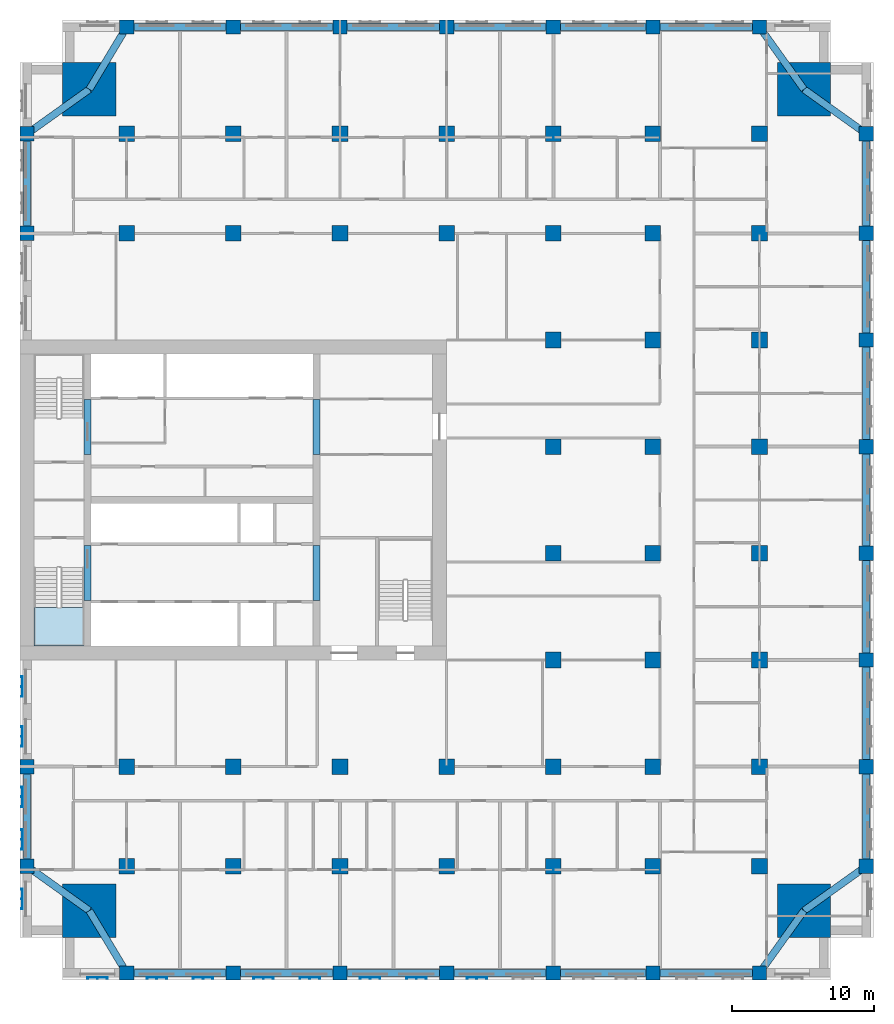
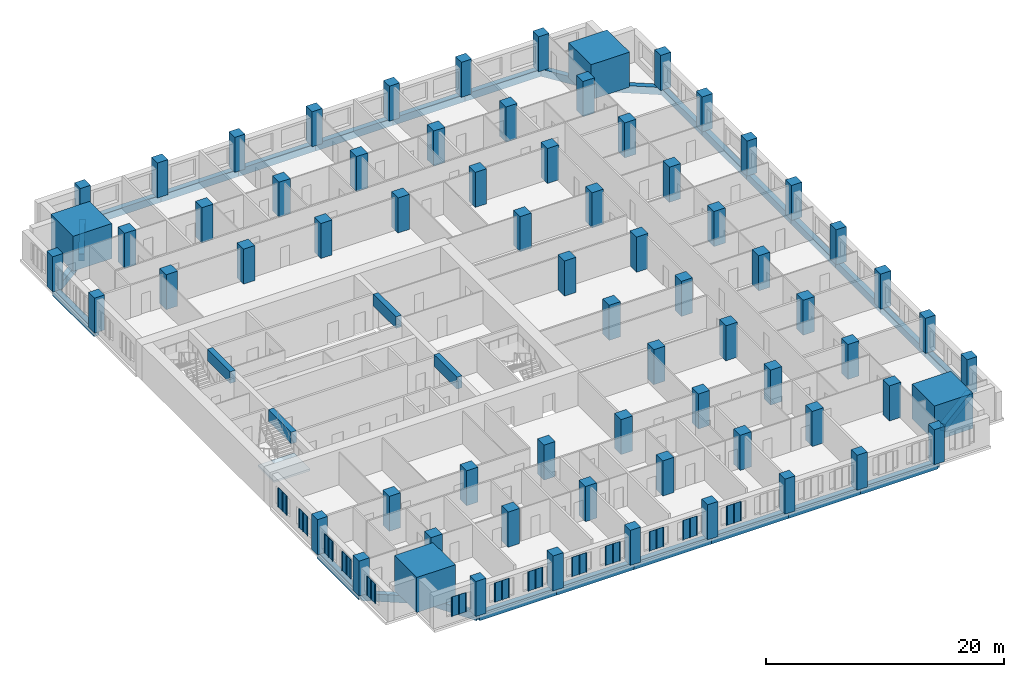
# One storey, part 1 of 14: 70 columns, 33 beams, 13 plates, 1 slab, 1 element without a shape of its own.
"""IFC4 building model written with IfcOpenShell, lengths in metres."""

from ifc_helpers import new_model, si_unit, direction, frame, origin, origin_2d, place, context, subcontext, project, spatial, polyline, rectangle, outline, extrude, material, layer, layer_set, material_profile, profile_set, type_object, element, aggregate, save


model = new_model("IFC4")

# Units and contexts
model_context = context("Model", 3, precision=1e-05, world=origin(), true_north=direction((0.0, 1.0)))
body_context = subcontext(model_context, "Body", "Model", "MODEL_VIEW")
ifc_project = project(units=[si_unit("LENGTHUNIT", "METRE"), si_unit("AREAUNIT", "SQUARE_METRE"), si_unit("VOLUMEUNIT", "CUBIC_METRE"), si_unit("PLANEANGLEUNIT", "RADIAN"), si_unit("MASSUNIT", "GRAM", prefix="KILO")], contexts=[model_context])

# Site, building, storey
site_placement = place(None, origin())
site = spatial("IfcSite", under=ifc_project, at=site_placement, CompositionType="ELEMENT")
building_placement = place(site_placement, origin())
building = spatial("IfcBuilding", under=site, at=building_placement, Name="Tamorin Gate", CompositionType="ELEMENT")
storey_placement = place(building_placement, frame((0.0, 0.0, 104.300048828125)))
storey = spatial("IfcBuildingStorey", under=building, at=storey_placement, Name="L25", CompositionType="ELEMENT", Elevation=104.300048828125)

# Columns
ifc_material_1 = material(Name="Concrete C80/95", Category="concrete")
ifc_material_profile_1 = material_profile(ifc_material_1, rectangle(XDim=1.0, YDim=1.0, at=origin_2d()), Name="RC 1000x1000")
ifc_profile_set_1 = profile_set([ifc_material_profile_1], Name="Concrete C80/95")
column_type_1 = type_object("IfcColumnType", Name="RC column 1000x1000 C80/95", PredefinedType="COLUMN", material=ifc_profile_set_1)
for number, where, z_axis, x_axis, name in (
    (1, (30.5, 45.5, 0.0), (0.0, 0.0, 1.0), (1.0, 0.0, 0.0), "Ring column L25"),
    (2, (30.5, 52.5, 0.0), (0.0, 0.0, 1.0), (1.0, 0.0, 0.0), "Ring column L25"),
    (3, (30.5, 90.0, 0.0), (0.0, 0.0, 1.0), (1.0, 0.0, 0.0), "Ring column L25"),
    (4, (30.5, 97.0, 0.0), (0.0, 0.0, 1.0), (1.0, 0.0, 0.0), "Ring column L25"),
    (5, (37.5, 38.0, 0.0), (0.0, 0.0, 1.0), (1.0, 0.0, 0.0), "Ring column L25"),
    (6, (37.5, 104.5, 0.0), (0.0, 0.0, 1.0), (1.0, 0.0, 0.0), "Ring column L25"),
    (7, (45.0, 38.0, 0.0), (0.0, 0.0, 1.0), (1.0, 0.0, 0.0), "Ring column L25"),
    (8, (45.0, 104.5, 0.0), (0.0, 0.0, 1.0), (1.0, 0.0, 0.0), "Ring column L25"),
    (9, (52.5, 38.0, 0.0), (0.0, 0.0, 1.0), (1.0, 0.0, 0.0), "Ring column L25"),
    (10, (52.5, 104.5, 0.0), (0.0, 0.0, 1.0), (1.0, 0.0, 0.0), "Ring column L25"),
    (11, (60.0, 38.0, 0.0), (0.0, 0.0, 1.0), (1.0, 0.0, 0.0), "Ring column L25"),
    (12, (60.0, 104.5, 0.0), (0.0, 0.0, 1.0), (1.0, 0.0, 0.0), "Ring column L25"),
    (13, (67.5, 38.0, 0.0), (0.0, 0.0, 1.0), (1.0, 0.0, 0.0), "Ring column L25"),
    (14, (67.5, 104.5, 0.0), (0.0, 0.0, 1.0), (1.0, 0.0, 0.0), "Ring column L25"),
    (15, (74.5, 38.0, 0.0), (0.0, 0.0, 1.0), (1.0, 0.0, 0.0), "Ring column L25"),
    (16, (74.5, 104.5, 0.0), (0.0, 0.0, 1.0), (1.0, 0.0, 0.0), "Ring column L25"),
    (17, (82.0, 38.0, 0.0), (0.0, 0.0, 1.0), (1.0, 0.0, 0.0), "Ring column L25"),
    (18, (82.0, 104.5, 0.0), (0.0, 0.0, 1.0), (1.0, 0.0, 0.0), "Ring column L25"),
    (19, (89.5, 45.5, 0.0), (0.0, 0.0, 1.0), (1.0, 0.0, 0.0), "Ring column L25"),
    (20, (89.5, 52.5, 0.0), (0.0, 0.0, 1.0), (1.0, 0.0, 0.0), "Ring column L25"),
    (21, (89.5, 60.0, 0.0), (0.0, 0.0, 1.0), (1.0, 0.0, 0.0), "Ring column L25"),
    (22, (89.5, 67.5, 0.0), (0.0, 0.0, 1.0), (1.0, 0.0, 0.0), "Ring column L25"),
    (23, (89.5, 75.0, 0.0), (0.0, 0.0, 1.0), (1.0, 0.0, 0.0), "Ring column L25"),
    (24, (89.5, 82.5, 0.0), (0.0, 0.0, 1.0), (1.0, 0.0, 0.0), "Ring column L25"),
    (25, (89.5, 90.0, 0.0), (0.0, 0.0, 1.0), (1.0, 0.0, 0.0), "Ring column L25"),
    (26, (89.5, 97.0, 0.0), (0.0, 0.0, 1.0), (1.0, 0.0, 0.0), "Ring column L25"),
):
    element("IfcColumn", number, at=place(storey_placement, frame(where, z_axis=z_axis, x_axis=x_axis)), inside=storey, type_object=column_type_1, Name=name, PredefinedType="COLUMN", context=body_context, shape_type="SweptSolid", body=[
        extrude(rectangle(XDim=1.0, YDim=1.0, at=origin_2d()), origin(), (0.0, 0.0, 1.0), 3.599853515625),
    ])
ifc_material_profile_2 = material_profile(ifc_material_1, rectangle(XDim=1.10009765625, YDim=1.10009765625, at=origin_2d()), Name="RC 1100x1100")
ifc_profile_set_2 = profile_set([ifc_material_profile_2], Name="Concrete C80/95")
column_type_2 = type_object("IfcColumnType", Name="RC column 1100x1100 C80/95", PredefinedType="COLUMN", material=ifc_profile_set_2)
for number, where, z_axis, x_axis, name in (
    (27, (37.5, 45.5, 0.0), (0.0, 0.0, 1.0), (1.0, 0.0, 0.0), "Interior column L25"),
    (28, (37.5, 52.5, 0.0), (0.0, 0.0, 1.0), (1.0, 0.0, 0.0), "Interior column L25"),
    (29, (37.5, 90.0, 0.0), (0.0, 0.0, 1.0), (1.0, 0.0, 0.0), "Interior column L25"),
    (30, (37.5, 97.0, 0.0), (0.0, 0.0, 1.0), (1.0, 0.0, 0.0), "Interior column L25"),
    (31, (45.0, 45.5, 0.0), (0.0, 0.0, 1.0), (1.0, 0.0, 0.0), "Interior column L25"),
    (32, (45.0, 52.5, 0.0), (0.0, 0.0, 1.0), (1.0, 0.0, 0.0), "Interior column L25"),
    (33, (45.0, 90.0, 0.0), (0.0, 0.0, 1.0), (1.0, 0.0, 0.0), "Interior column L25"),
    (34, (45.0, 97.0, 0.0), (0.0, 0.0, 1.0), (1.0, 0.0, 0.0), "Interior column L25"),
    (35, (52.5, 45.5, 0.0), (0.0, 0.0, 1.0), (1.0, 0.0, 0.0), "Interior column L25"),
    (36, (52.5, 52.5, 0.0), (0.0, 0.0, 1.0), (1.0, 0.0, 0.0), "Interior column L25"),
    (37, (52.5, 90.0, 0.0), (0.0, 0.0, 1.0), (1.0, 0.0, 0.0), "Interior column L25"),
    (38, (52.5, 97.0, 0.0), (0.0, 0.0, 1.0), (1.0, 0.0, 0.0), "Interior column L25"),
    (39, (60.0, 45.5, 0.0), (0.0, 0.0, 1.0), (1.0, 0.0, 0.0), "Interior column L25"),
    (40, (60.0, 52.5, 0.0), (0.0, 0.0, 1.0), (1.0, 0.0, 0.0), "Interior column L25"),
    (41, (60.0, 90.0, 0.0), (0.0, 0.0, 1.0), (1.0, 0.0, 0.0), "Interior column L25"),
    (42, (60.0, 97.0, 0.0), (0.0, 0.0, 1.0), (1.0, 0.0, 0.0), "Interior column L25"),
    (43, (67.5, 45.5, 0.0), (0.0, 0.0, 1.0), (1.0, 0.0, 0.0), "Interior column L25"),
    (44, (67.5, 52.5, 0.0), (0.0, 0.0, 1.0), (1.0, 0.0, 0.0), "Interior column L25"),
    (45, (67.5, 60.0, 0.0), (0.0, 0.0, 1.0), (1.0, 0.0, 0.0), "Interior column L25"),
    (46, (67.5, 67.5, 0.0), (0.0, 0.0, 1.0), (1.0, 0.0, 0.0), "Interior column L25"),
    (47, (67.5, 75.0, 0.0), (0.0, 0.0, 1.0), (1.0, 0.0, 0.0), "Interior column L25"),
    (48, (67.5, 82.5, 0.0), (0.0, 0.0, 1.0), (1.0, 0.0, 0.0), "Interior column L25"),
    (49, (67.5, 90.0, 0.0), (0.0, 0.0, 1.0), (1.0, 0.0, 0.0), "Interior column L25"),
    (50, (67.5, 97.0, 0.0), (0.0, 0.0, 1.0), (1.0, 0.0, 0.0), "Interior column L25"),
    (51, (74.5, 45.5, 0.0), (0.0, 0.0, 1.0), (1.0, 0.0, 0.0), "Interior column L25"),
    (52, (74.5, 52.5, 0.0), (0.0, 0.0, 1.0), (1.0, 0.0, 0.0), "Interior column L25"),
    (53, (74.5, 60.0, 0.0), (0.0, 0.0, 1.0), (1.0, 0.0, 0.0), "Interior column L25"),
    (54, (74.5, 67.5, 0.0), (0.0, 0.0, 1.0), (1.0, 0.0, 0.0), "Interior column L25"),
    (55, (74.5, 75.0, 0.0), (0.0, 0.0, 1.0), (1.0, 0.0, 0.0), "Interior column L25"),
    (56, (74.5, 82.5, 0.0), (0.0, 0.0, 1.0), (1.0, 0.0, 0.0), "Interior column L25"),
    (57, (74.5, 90.0, 0.0), (0.0, 0.0, 1.0), (1.0, 0.0, 0.0), "Interior column L25"),
    (58, (74.5, 97.0, 0.0), (0.0, 0.0, 1.0), (1.0, 0.0, 0.0), "Interior column L25"),
    (59, (82.0, 45.5, 0.0), (0.0, 0.0, 1.0), (1.0, 0.0, 0.0), "Interior column L25"),
    (60, (82.0, 52.5, 0.0), (0.0, 0.0, 1.0), (1.0, 0.0, 0.0), "Interior column L25"),
    (61, (82.0, 60.0, 0.0), (0.0, 0.0, 1.0), (1.0, 0.0, 0.0), "Interior column L25"),
    (62, (82.0, 67.5, 0.0), (0.0, 0.0, 1.0), (1.0, 0.0, 0.0), "Interior column L25"),
    (63, (82.0, 75.0, 0.0), (0.0, 0.0, 1.0), (1.0, 0.0, 0.0), "Interior column L25"),
    (64, (82.0, 82.5, 0.0), (0.0, 0.0, 1.0), (1.0, 0.0, 0.0), "Interior column L25"),
    (65, (82.0, 90.0, 0.0), (0.0, 0.0, 1.0), (1.0, 0.0, 0.0), "Interior column L25"),
    (66, (82.0, 97.0, 0.0), (0.0, 0.0, 1.0), (1.0, 0.0, 0.0), "Interior column L25"),
):
    element("IfcColumn", number, at=place(storey_placement, frame(where, z_axis=z_axis, x_axis=x_axis)), inside=storey, type_object=column_type_2, Name=name, PredefinedType="COLUMN", context=body_context, shape_type="SweptSolid", body=[
        extrude(rectangle(XDim=1.10009765625, YDim=1.10009765625, at=origin_2d()), origin(), (0.0, 0.0, 1.0), 3.599853515625),
    ])
ifc_material_profile_3 = material_profile(ifc_material_1, rectangle(XDim=3.75, YDim=3.75, at=origin_2d()), Name="RC 3750x3750")
ifc_profile_set_3 = profile_set([ifc_material_profile_3], Name="Concrete C80/95")
column_type_3 = type_object("IfcColumnType", Name="RC column 3750x3750 C80/95", PredefinedType="COLUMN", material=ifc_profile_set_3)
for number, where, z_axis, x_axis, name in (
    (67, (34.875, 42.375, 0.0), (0.0, 0.0, 1.0), (1.0, 0.0, 0.0), "Mega column SW L25"),
    (68, (85.125, 42.375, 0.0), (0.0, 0.0, 1.0), (1.0, 0.0, 0.0), "Mega column SE L25"),
    (69, (34.875, 100.125, 0.0), (0.0, 0.0, 1.0), (1.0, 0.0, 0.0), "Mega column NW L25"),
    (70, (85.125, 100.125, 0.0), (0.0, 0.0, 1.0), (1.0, 0.0, 0.0), "Mega column NE L25"),
):
    element("IfcColumn", number, at=place(storey_placement, frame(where, z_axis=z_axis, x_axis=x_axis)), inside=storey, type_object=column_type_3, Name=name, PredefinedType="COLUMN", context=body_context, shape_type="SweptSolid", body=[
        extrude(rectangle(XDim=3.75, YDim=3.75, at=origin_2d()), origin(), (0.0, 0.0, 1.0), 3.599853515625),
    ])

# Beams
ifc_material_profile_4 = material_profile(ifc_material_1, rectangle(XDim=0.5, YDim=1.199951171875, at=origin_2d()), Name="RC 500x1200")
ifc_profile_set_4 = profile_set([ifc_material_profile_4], Name="Concrete C80/95")
beam_type_1 = type_object("IfcBeamType", Name="RC coupling beam 500x1200 C80/95", PredefinedType="BEAM", material=ifc_profile_set_4)
for number, where, z_axis, x_axis, name in (
    (71, (34.75, 64.199951171875, 3.0), (0.0, 1.0, 0.0), (-1.0, 0.0, 0.0), "Coupling beam L25"),
    (72, (34.75, 74.449951171875, 3.0), (0.0, 1.0, 0.0), (-1.0, 0.0, 0.0), "Coupling beam L25"),
    (73, (50.85009765625, 64.199951171875, 3.0), (0.0, 1.0, 0.0), (-1.0, 0.0, 0.0), "Coupling beam L25"),
    (74, (50.85009765625, 74.449951171875, 3.0), (0.0, 1.0, 0.0), (-1.0, 0.0, 0.0), "Coupling beam L25"),
):
    element("IfcBeam", number, at=place(storey_placement, frame(where, z_axis=z_axis, x_axis=x_axis)), inside=storey, type_object=beam_type_1, Name=name, PredefinedType="BEAM", context=body_context, shape_type="SweptSolid", body=[
        extrude(rectangle(XDim=0.5, YDim=1.199951171875, at=origin_2d()), origin(), (0.0, 0.0, 1.0), 3.85009765625),
    ])
ifc_material_2 = material(Name="Concrete C50/60", Category="concrete")
ifc_material_profile_5 = material_profile(ifc_material_2, rectangle(XDim=0.5, YDim=0.75, at=origin_2d()), Name="RC 500x750")
ifc_profile_set_5 = profile_set([ifc_material_profile_5], Name="Concrete C50/60")
beam_type_2 = type_object("IfcBeamType", Name="RC spandrel 500x750 C50/60", PredefinedType="BEAM", material=ifc_profile_set_5)
for number, where, z_axis, x_axis, name in (
    (75, (37.5, 38.0, -0.375), (1.0, 0.0, 0.0), (0.0, 1.0, 0.0), "Spandrel beam L25"),
    (76, (45.0, 38.0, -0.375), (1.0, 0.0, 0.0), (0.0, 1.0, 0.0), "Spandrel beam L25"),
    (77, (52.5, 38.0, -0.375), (1.0, 0.0, 0.0), (0.0, 1.0, 0.0), "Spandrel beam L25"),
    (78, (60.0, 38.0, -0.375), (1.0, 0.0, 0.0), (0.0, 1.0, 0.0), "Spandrel beam L25"),
):
    element("IfcBeam", number, at=place(storey_placement, frame(where, z_axis=z_axis, x_axis=x_axis)), inside=storey, type_object=beam_type_2, Name=name, PredefinedType="BEAM", context=body_context, shape_type="SweptSolid", body=[
        extrude(rectangle(XDim=0.5, YDim=0.75, at=origin_2d()), origin(), (0.0, 0.0, 1.0), 7.5),
    ])
beam_1_placement = place(storey_placement, frame((67.5, 38.0, -0.375), z_axis=(1.0, 0.0, 0.0), x_axis=(0.0, 1.0, 0.0)))
element("IfcBeam", 79, at=beam_1_placement, inside=storey, type_object=beam_type_2, Name="Spandrel beam L25", PredefinedType="BEAM", context=body_context, shape_type="SweptSolid", body=[
    extrude(rectangle(XDim=0.5, YDim=0.75, at=origin_2d()), origin(), (0.0, 0.0, 1.0), 7.0),
])
beam_2_placement = place(storey_placement, frame((74.5, 38.0, -0.375), z_axis=(1.0, 0.0, 0.0), x_axis=(0.0, 1.0, 0.0)))
element("IfcBeam", 80, at=beam_2_placement, inside=storey, type_object=beam_type_2, Name="Spandrel beam L25", PredefinedType="BEAM", context=body_context, shape_type="SweptSolid", body=[
    extrude(rectangle(XDim=0.5, YDim=0.75, at=origin_2d()), origin(), (0.0, 0.0, 1.0), 7.5),
])
beam_3_placement = place(storey_placement, frame((89.5, 45.5, -0.375), z_axis=(0.0, 1.0, 0.0), x_axis=(-1.0, 0.0, 0.0)))
element("IfcBeam", 81, at=beam_3_placement, inside=storey, type_object=beam_type_2, Name="Spandrel beam L25", PredefinedType="BEAM", context=body_context, shape_type="SweptSolid", body=[
    extrude(rectangle(XDim=0.5, YDim=0.75, at=origin_2d()), origin(), (0.0, 0.0, 1.0), 7.0),
])
for number, where, z_axis, x_axis, name in (
    (82, (89.5, 52.5, -0.375), (0.0, 1.0, 0.0), (-1.0, 0.0, 0.0), "Spandrel beam L25"),
    (83, (89.5, 60.0, -0.375), (0.0, 1.0, 0.0), (-1.0, 0.0, 0.0), "Spandrel beam L25"),
    (84, (89.5, 67.5, -0.375), (0.0, 1.0, 0.0), (-1.0, 0.0, 0.0), "Spandrel beam L25"),
    (85, (89.5, 75.0, -0.375), (0.0, 1.0, 0.0), (-1.0, 0.0, 0.0), "Spandrel beam L25"),
    (86, (89.5, 82.5, -0.375), (0.0, 1.0, 0.0), (-1.0, 0.0, 0.0), "Spandrel beam L25"),
):
    element("IfcBeam", number, at=place(storey_placement, frame(where, z_axis=z_axis, x_axis=x_axis)), inside=storey, type_object=beam_type_2, Name=name, PredefinedType="BEAM", context=body_context, shape_type="SweptSolid", body=[
        extrude(rectangle(XDim=0.5, YDim=0.75, at=origin_2d()), origin(), (0.0, 0.0, 1.0), 7.5),
    ])
beam_4_placement = place(storey_placement, frame((89.5, 90.0, -0.375), z_axis=(0.0, 1.0, 0.0), x_axis=(-1.0, 0.0, 0.0)))
element("IfcBeam", 87, at=beam_4_placement, inside=storey, type_object=beam_type_2, Name="Spandrel beam L25", PredefinedType="BEAM", context=body_context, shape_type="SweptSolid", body=[
    extrude(rectangle(XDim=0.5, YDim=0.75, at=origin_2d()), origin(), (0.0, 0.0, 1.0), 7.0),
])
beam_5_placement = place(storey_placement, frame((82.0, 104.5, -0.375), z_axis=(-1.0, 0.0, 0.0), x_axis=(0.0, -1.0, 0.0)))
element("IfcBeam", 88, at=beam_5_placement, inside=storey, type_object=beam_type_2, Name="Spandrel beam L25", PredefinedType="BEAM", context=body_context, shape_type="SweptSolid", body=[
    extrude(rectangle(XDim=0.5, YDim=0.75, at=origin_2d()), origin(), (0.0, 0.0, 1.0), 7.5),
])
beam_6_placement = place(storey_placement, frame((74.5, 104.5, -0.375), z_axis=(-1.0, 0.0, 0.0), x_axis=(0.0, -1.0, 0.0)))
element("IfcBeam", 89, at=beam_6_placement, inside=storey, type_object=beam_type_2, Name="Spandrel beam L25", PredefinedType="BEAM", context=body_context, shape_type="SweptSolid", body=[
    extrude(rectangle(XDim=0.5, YDim=0.75, at=origin_2d()), origin(), (0.0, 0.0, 1.0), 7.0),
])
for number, where, z_axis, x_axis, name in (
    (90, (67.5, 104.5, -0.375), (-1.0, 0.0, 0.0), (0.0, -1.0, 0.0), "Spandrel beam L25"),
    (91, (60.0, 104.5, -0.375), (-1.0, 0.0, 0.0), (0.0, -1.0, 0.0), "Spandrel beam L25"),
    (92, (52.5, 104.5, -0.375), (-1.0, 0.0, 0.0), (0.0, -1.0, 0.0), "Spandrel beam L25"),
    (93, (45.0, 104.5, -0.375), (-1.0, 0.0, 0.0), (0.0, -1.0, 0.0), "Spandrel beam L25"),
):
    element("IfcBeam", number, at=place(storey_placement, frame(where, z_axis=z_axis, x_axis=x_axis)), inside=storey, type_object=beam_type_2, Name=name, PredefinedType="BEAM", context=body_context, shape_type="SweptSolid", body=[
        extrude(rectangle(XDim=0.5, YDim=0.75, at=origin_2d()), origin(), (0.0, 0.0, 1.0), 7.5),
    ])
for number, where, z_axis, x_axis, name in (
    (94, (30.5, 97.0, -0.375), (0.0, -1.0, 0.0), (1.0, 0.0, 0.0), "Spandrel beam L25"),
    (95, (30.5, 52.5, -0.375), (0.0, -1.0, 0.0), (1.0, 0.0, 0.0), "Spandrel beam L25"),
):
    element("IfcBeam", number, at=place(storey_placement, frame(where, z_axis=z_axis, x_axis=x_axis)), inside=storey, type_object=beam_type_2, Name=name, PredefinedType="BEAM", context=body_context, shape_type="SweptSolid", body=[
        extrude(rectangle(XDim=0.5, YDim=0.75, at=origin_2d()), origin(), (0.0, 0.0, 1.0), 7.0),
    ])
beam_7_placement = place(storey_placement, frame((34.875, 42.375, -0.375), z_axis=(0.514495755428, -0.857492925713, 0.0), x_axis=(0.857492925713, 0.514495755428, 0.0)))
element("IfcBeam", 96, at=beam_7_placement, inside=storey, type_object=beam_type_2, Name="Corner tie beam L25", PredefinedType="BEAM", context=body_context, shape_type="SweptSolid", body=[
    extrude(rectangle(XDim=0.5, YDim=0.75, at=origin_2d()), origin(), (0.0, 0.0, 1.0), 5.10205078125),
])
for number, where, z_axis, x_axis, name in (
    (97, (34.875, 42.375, -0.375), (-0.813733471207, 0.581238193719, 0.0), (-0.581238193719, -0.813733471207, 0.0), "Corner tie beam L25"),
    (98, (85.125, 42.375, -0.375), (-0.581238193719, -0.813733471207, 0.0), (0.813733471207, -0.581238193719, 0.0), "Corner tie beam L25"),
    (99, (85.125, 42.375, -0.375), (0.813733471207, 0.581238193719, 0.0), (-0.581238193719, 0.813733471207, 0.0), "Corner tie beam L25"),
):
    element("IfcBeam", number, at=place(storey_placement, frame(where, z_axis=z_axis, x_axis=x_axis)), inside=storey, type_object=beam_type_2, Name=name, PredefinedType="BEAM", context=body_context, shape_type="SweptSolid", body=[
        extrude(rectangle(XDim=0.5, YDim=0.75, at=origin_2d()), origin(), (0.0, 0.0, 1.0), 5.37646484375),
    ])
beam_8_placement = place(storey_placement, frame((34.875, 100.125, -0.375), z_axis=(0.514495755428, 0.857492925713, 0.0), x_axis=(-0.857492925713, 0.514495755428, 0.0)))
element("IfcBeam", 100, at=beam_8_placement, inside=storey, type_object=beam_type_2, Name="Corner tie beam L25", PredefinedType="BEAM", context=body_context, shape_type="SweptSolid", body=[
    extrude(rectangle(XDim=0.5, YDim=0.75, at=origin_2d()), origin(), (0.0, 0.0, 1.0), 5.10205078125),
])
for number, where, z_axis, x_axis, name in (
    (101, (34.875, 100.125, -0.375), (-0.813733471207, -0.581238193719, 0.0), (0.581238193719, -0.813733471207, 0.0), "Corner tie beam L25"),
    (102, (85.125, 100.125, -0.375), (-0.581238193719, 0.813733471207, 0.0), (-0.813733471207, -0.581238193719, 0.0), "Corner tie beam L25"),
    (103, (85.125, 100.125, -0.375), (0.813733471207, -0.581238193719, 0.0), (0.581238193719, 0.813733471207, 0.0), "Corner tie beam L25"),
):
    element("IfcBeam", number, at=place(storey_placement, frame(where, z_axis=z_axis, x_axis=x_axis)), inside=storey, type_object=beam_type_2, Name=name, PredefinedType="BEAM", context=body_context, shape_type="SweptSolid", body=[
        extrude(rectangle(XDim=0.5, YDim=0.75, at=origin_2d()), origin(), (0.0, 0.0, 1.0), 5.37646484375),
    ])

# Stair, slab
ifc_material_3 = material(Name="Concrete C40/50", Category="concrete")
stair_type = type_object("IfcStairType", Name="Exit stair", PredefinedType="HALF_TURN_STAIR", material=ifc_material_3)
stair_placement = place(storey_placement, origin())
stair = element("IfcStair", 104, at=stair_placement, inside=storey, type_object=stair_type, Name="L25 stair ST1", PredefinedType="HALF_TURN_STAIR")
ifc_layer_1 = layer(ifc_material_3, 0.199951171875)
ifc_layer_set_1 = layer_set([ifc_layer_1], Name="Exit stair landing 200")
slab_type = type_object("IfcSlabType", Name="Exit stair landing 200", PredefinedType="LANDING", material=ifc_layer_set_1)
slab_placement = place(storey_placement, frame((0.0, 0.0, 1.599853515625)))
slab = element("IfcSlab", 105, at=slab_placement, type_object=slab_type, Name="ST1 landing 1", PredefinedType="LANDING", context=body_context, shape_type="SweptSolid", body=[
    extrude(outline(polyline([(31.0, 63.699951171875), (31.0, 61.0), (34.5, 61.0), (34.5, 63.699951171875), (31.0, 63.699951171875)])), origin(), (0.0, 0.0, 1.0), 0.2001953125),
])
aggregate(stair, [slab])

# Plates
ifc_material_4 = material(Name="Perforated pale aluminium sheet", Category="aluminium")
ifc_layer_2 = layer(ifc_material_4, 0.0400390625)
ifc_layer_set_2 = layer_set([ifc_layer_2], Name="Pale metal solar screen 1440")
plate_type = type_object("IfcPlateType", Name="Pale metal solar screen 1440", PredefinedType="SHEET", material=ifc_layer_set_2)
plate_1_placement = place(storey_placement, frame((0.0, 0.0, 0.7099609375)))
element("IfcPlate", 106, at=plate_1_placement, inside=storey, type_object=plate_type, Name="Perforated solar screen", PredefinedType="SHEET", context=body_context, shape_type="SweptSolid", body=[
    extrude(outline(polyline([(34.72998046875, 37.659912109375), (34.72998046875, 37.699951171875), (34.7900390625, 37.699951171875), (35.419921875, 37.699951171875), (35.47998046875, 37.699951171875), (36.110107421875, 37.699951171875), (36.169921875, 37.699951171875), (36.169921875, 37.659912109375), (36.169921875, 37.60009765625), (36.110107421875, 37.60009765625), (36.110107421875, 37.659912109375), (35.47998046875, 37.659912109375), (35.47998046875, 37.60009765625), (35.419921875, 37.60009765625), (35.419921875, 37.659912109375), (34.7900390625, 37.659912109375), (34.7900390625, 37.60009765625), (34.72998046875, 37.60009765625), (34.72998046875, 37.659912109375)])), origin(), (0.0, 0.0, 1.0), 1.97998046875),
])
plate_2_placement = place(storey_placement, frame((0.0, 0.0, 0.7099609375)))
element("IfcPlate", 107, at=plate_2_placement, inside=storey, type_object=plate_type, Name="Perforated solar screen", PredefinedType="SHEET", context=body_context, shape_type="SweptSolid", body=[
    extrude(outline(polyline([(38.905029296875, 37.659912109375), (38.905029296875, 37.699951171875), (38.965087890625, 37.699951171875), (39.594970703125, 37.699951171875), (39.655029296875, 37.699951171875), (40.284912109375, 37.699951171875), (40.344970703125, 37.699951171875), (40.344970703125, 37.699951171875), (40.344970703125, 37.659912109375), (40.344970703125, 37.659912109375), (40.344970703125, 37.60009765625), (40.284912109375, 37.60009765625), (40.284912109375, 37.659912109375), (39.655029296875, 37.659912109375), (39.655029296875, 37.60009765625), (39.594970703125, 37.60009765625), (39.594970703125, 37.659912109375), (38.965087890625, 37.659912109375), (38.965087890625, 37.60009765625), (38.905029296875, 37.60009765625), (38.905029296875, 37.659912109375)])), origin(), (0.0, 0.0, 1.0), 1.97998046875),
])
plate_3_placement = place(storey_placement, frame((0.0, 0.0, 0.7099609375)))
element("IfcPlate", 108, at=plate_3_placement, inside=storey, type_object=plate_type, Name="Perforated solar screen", PredefinedType="SHEET", context=body_context, shape_type="SweptSolid", body=[
    extrude(outline(polyline([(42.155029296875, 37.659912109375), (42.155029296875, 37.699951171875), (42.215087890625, 37.699951171875), (42.844970703125, 37.699951171875), (42.905029296875, 37.699951171875), (43.534912109375, 37.699951171875), (43.594970703125, 37.699951171875), (43.594970703125, 37.659912109375), (43.594970703125, 37.60009765625), (43.534912109375, 37.60009765625), (43.534912109375, 37.659912109375), (42.905029296875, 37.659912109375), (42.905029296875, 37.60009765625), (42.844970703125, 37.60009765625), (42.844970703125, 37.659912109375), (42.215087890625, 37.659912109375), (42.215087890625, 37.60009765625), (42.155029296875, 37.60009765625), (42.155029296875, 37.659912109375)])), origin(), (0.0, 0.0, 1.0), 1.97998046875),
])
plate_4_placement = place(storey_placement, frame((0.0, 0.0, 0.7099609375)))
element("IfcPlate", 109, at=plate_4_placement, inside=storey, type_object=plate_type, Name="Perforated solar screen", PredefinedType="SHEET", context=body_context, shape_type="SweptSolid", body=[
    extrude(outline(polyline([(46.405029296875, 37.659912109375), (46.405029296875, 37.699951171875), (46.465087890625, 37.699951171875), (47.094970703125, 37.699951171875), (47.155029296875, 37.699951171875), (47.784912109375, 37.699951171875), (47.844970703125, 37.699951171875), (47.844970703125, 37.659912109375), (47.844970703125, 37.60009765625), (47.784912109375, 37.60009765625), (47.784912109375, 37.659912109375), (47.155029296875, 37.659912109375), (47.155029296875, 37.60009765625), (47.094970703125, 37.60009765625), (47.094970703125, 37.659912109375), (46.465087890625, 37.659912109375), (46.465087890625, 37.60009765625), (46.405029296875, 37.60009765625), (46.405029296875, 37.659912109375)])), origin(), (0.0, 0.0, 1.0), 1.97998046875),
])
plate_5_placement = place(storey_placement, frame((0.0, 0.0, 0.7099609375)))
element("IfcPlate", 110, at=plate_5_placement, inside=storey, type_object=plate_type, Name="Perforated solar screen", PredefinedType="SHEET", context=body_context, shape_type="SweptSolid", body=[
    extrude(outline(polyline([(49.655029296875, 37.659912109375), (49.655029296875, 37.699951171875), (49.715087890625, 37.699951171875), (50.344970703125, 37.699951171875), (50.405029296875, 37.699951171875), (51.034912109375, 37.699951171875), (51.094970703125, 37.699951171875), (51.094970703125, 37.659912109375), (51.094970703125, 37.60009765625), (51.034912109375, 37.60009765625), (51.034912109375, 37.659912109375), (50.405029296875, 37.659912109375), (50.405029296875, 37.60009765625), (50.344970703125, 37.60009765625), (50.344970703125, 37.659912109375), (49.715087890625, 37.659912109375), (49.715087890625, 37.60009765625), (49.655029296875, 37.60009765625), (49.655029296875, 37.659912109375)])), origin(), (0.0, 0.0, 1.0), 1.97998046875),
])
plate_6_placement = place(storey_placement, frame((0.0, 0.0, 0.7099609375)))
element("IfcPlate", 111, at=plate_6_placement, inside=storey, type_object=plate_type, Name="Perforated solar screen", PredefinedType="SHEET", context=body_context, shape_type="SweptSolid", body=[
    extrude(outline(polyline([(53.905029296875, 37.659912109375), (53.905029296875, 37.699951171875), (53.965087890625, 37.699951171875), (54.594970703125, 37.699951171875), (54.655029296875, 37.699951171875), (55.284912109375, 37.699951171875), (55.344970703125, 37.699951171875), (55.344970703125, 37.659912109375), (55.344970703125, 37.60009765625), (55.284912109375, 37.60009765625), (55.284912109375, 37.659912109375), (54.655029296875, 37.659912109375), (54.655029296875, 37.60009765625), (54.594970703125, 37.60009765625), (54.594970703125, 37.659912109375), (53.965087890625, 37.659912109375), (53.965087890625, 37.60009765625), (53.905029296875, 37.60009765625), (53.905029296875, 37.659912109375)])), origin(), (0.0, 0.0, 1.0), 1.97998046875),
])
plate_7_placement = place(storey_placement, frame((0.0, 0.0, 0.7099609375)))
element("IfcPlate", 112, at=plate_7_placement, inside=storey, type_object=plate_type, Name="Perforated solar screen", PredefinedType="SHEET", context=body_context, shape_type="SweptSolid", body=[
    extrude(outline(polyline([(57.155029296875, 37.659912109375), (57.155029296875, 37.699951171875), (57.215087890625, 37.699951171875), (57.844970703125, 37.699951171875), (57.905029296875, 37.699951171875), (58.534912109375, 37.699951171875), (58.594970703125, 37.699951171875), (58.594970703125, 37.659912109375), (58.594970703125, 37.60009765625), (58.534912109375, 37.60009765625), (58.534912109375, 37.659912109375), (57.905029296875, 37.659912109375), (57.905029296875, 37.60009765625), (57.844970703125, 37.60009765625), (57.844970703125, 37.659912109375), (57.215087890625, 37.659912109375), (57.215087890625, 37.60009765625), (57.155029296875, 37.60009765625), (57.155029296875, 37.659912109375)])), origin(), (0.0, 0.0, 1.0), 1.97998046875),
])
plate_8_placement = place(storey_placement, frame((0.0, 0.0, 0.7099609375)))
element("IfcPlate", 113, at=plate_8_placement, inside=storey, type_object=plate_type, Name="Perforated solar screen", PredefinedType="SHEET", context=body_context, shape_type="SweptSolid", body=[
    extrude(outline(polyline([(61.405029296875, 37.659912109375), (61.405029296875, 37.699951171875), (61.465087890625, 37.699951171875), (62.094970703125, 37.699951171875), (62.155029296875, 37.699951171875), (62.784912109375, 37.699951171875), (62.844970703125, 37.699951171875), (62.844970703125, 37.659912109375), (62.844970703125, 37.60009765625), (62.784912109375, 37.60009765625), (62.784912109375, 37.659912109375), (62.155029296875, 37.659912109375), (62.155029296875, 37.60009765625), (62.094970703125, 37.60009765625), (62.094970703125, 37.659912109375), (61.465087890625, 37.659912109375), (61.465087890625, 37.60009765625), (61.405029296875, 37.60009765625), (61.405029296875, 37.659912109375)])), origin(), (0.0, 0.0, 1.0), 1.97998046875),
])
plate_9_placement = place(storey_placement, frame((0.0, 0.0, 0.7099609375)))
element("IfcPlate", 114, at=plate_9_placement, inside=storey, type_object=plate_type, Name="Perforated solar screen", PredefinedType="SHEET", context=body_context, shape_type="SweptSolid", body=[
    extrude(outline(polyline([(30.159912109375, 55.344970703125), (30.199951171875, 55.344970703125), (30.199951171875, 55.284912109375), (30.199951171875, 54.655029296875), (30.199951171875, 54.594970703125), (30.199951171875, 53.965087890625), (30.199951171875, 53.905029296875), (30.159912109375, 53.905029296875), (30.10009765625, 53.905029296875), (30.10009765625, 53.965087890625), (30.159912109375, 53.965087890625), (30.159912109375, 54.594970703125), (30.10009765625, 54.594970703125), (30.10009765625, 54.655029296875), (30.159912109375, 54.655029296875), (30.159912109375, 55.284912109375), (30.10009765625, 55.284912109375), (30.10009765625, 55.344970703125), (30.159912109375, 55.344970703125)])), origin(), (0.0, 0.0, 1.0), 1.97998046875),
])
plate_10_placement = place(storey_placement, frame((0.0, 0.0, 0.7099609375)))
element("IfcPlate", 115, at=plate_10_placement, inside=storey, type_object=plate_type, Name="Perforated solar screen", PredefinedType="SHEET", context=body_context, shape_type="SweptSolid", body=[
    extrude(outline(polyline([(30.159912109375, 58.844970703125), (30.199951171875, 58.844970703125), (30.199951171875, 58.784912109375), (30.199951171875, 58.155029296875), (30.199951171875, 58.094970703125), (30.199951171875, 57.465087890625), (30.199951171875, 57.405029296875), (30.159912109375, 57.405029296875), (30.10009765625, 57.405029296875), (30.10009765625, 57.465087890625), (30.159912109375, 57.465087890625), (30.159912109375, 58.094970703125), (30.10009765625, 58.094970703125), (30.10009765625, 58.155029296875), (30.159912109375, 58.155029296875), (30.159912109375, 58.784912109375), (30.10009765625, 58.784912109375), (30.10009765625, 58.844970703125), (30.159912109375, 58.844970703125)])), origin(), (0.0, 0.0, 1.0), 1.97998046875),
])
plate_11_placement = place(storey_placement, frame((0.0, 0.0, 0.7099609375)))
element("IfcPlate", 116, at=plate_11_placement, inside=storey, type_object=plate_type, Name="Perforated solar screen", PredefinedType="SHEET", context=body_context, shape_type="SweptSolid", body=[
    extrude(outline(polyline([(30.159912109375, 48.094970703125), (30.199951171875, 48.094970703125), (30.199951171875, 48.034912109375), (30.199951171875, 47.405029296875), (30.199951171875, 47.344970703125), (30.199951171875, 46.715087890625), (30.199951171875, 46.655029296875), (30.159912109375, 46.655029296875), (30.10009765625, 46.655029296875), (30.10009765625, 46.715087890625), (30.159912109375, 46.715087890625), (30.159912109375, 47.344970703125), (30.10009765625, 47.344970703125), (30.10009765625, 47.405029296875), (30.159912109375, 47.405029296875), (30.159912109375, 48.034912109375), (30.10009765625, 48.034912109375), (30.10009765625, 48.094970703125), (30.159912109375, 48.094970703125)])), origin(), (0.0, 0.0, 1.0), 1.97998046875),
])
plate_12_placement = place(storey_placement, frame((0.0, 0.0, 0.7099609375)))
element("IfcPlate", 117, at=plate_12_placement, inside=storey, type_object=plate_type, Name="Perforated solar screen", PredefinedType="SHEET", context=body_context, shape_type="SweptSolid", body=[
    extrude(outline(polyline([(30.159912109375, 51.094970703125), (30.199951171875, 51.094970703125), (30.199951171875, 51.034912109375), (30.199951171875, 50.405029296875), (30.199951171875, 50.344970703125), (30.199951171875, 49.715087890625), (30.199951171875, 49.655029296875), (30.159912109375, 49.655029296875), (30.10009765625, 49.655029296875), (30.10009765625, 49.715087890625), (30.159912109375, 49.715087890625), (30.159912109375, 50.344970703125), (30.10009765625, 50.344970703125), (30.10009765625, 50.405029296875), (30.159912109375, 50.405029296875), (30.159912109375, 51.034912109375), (30.10009765625, 51.034912109375), (30.10009765625, 51.094970703125), (30.159912109375, 51.094970703125)])), origin(), (0.0, 0.0, 1.0), 1.97998046875),
])
plate_13_placement = place(storey_placement, frame((0.0, 0.0, 0.7099609375)))
element("IfcPlate", 118, at=plate_13_placement, inside=storey, type_object=plate_type, Name="Perforated solar screen", PredefinedType="SHEET", context=body_context, shape_type="SweptSolid", body=[
    extrude(outline(polyline([(30.159912109375, 43.919921875), (30.199951171875, 43.919921875), (30.199951171875, 43.860107421875), (30.199951171875, 43.22998046875), (30.199951171875, 43.169921875), (30.199951171875, 42.5400390625), (30.199951171875, 42.47998046875), (30.159912109375, 42.47998046875), (30.10009765625, 42.47998046875), (30.10009765625, 42.5400390625), (30.159912109375, 42.5400390625), (30.159912109375, 43.169921875), (30.10009765625, 43.169921875), (30.10009765625, 43.22998046875), (30.159912109375, 43.22998046875), (30.159912109375, 43.860107421875), (30.10009765625, 43.860107421875), (30.10009765625, 43.919921875), (30.159912109375, 43.919921875)])), origin(), (0.0, 0.0, 1.0), 1.97998046875),
])

save(model, "model.ifc")
